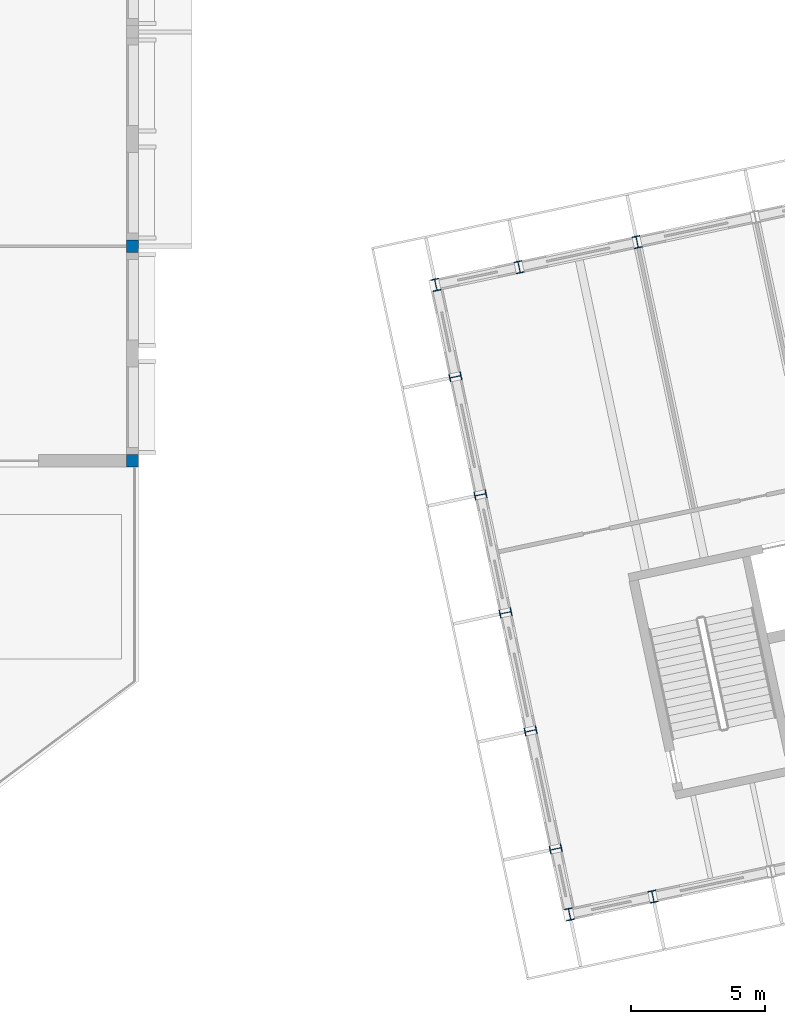
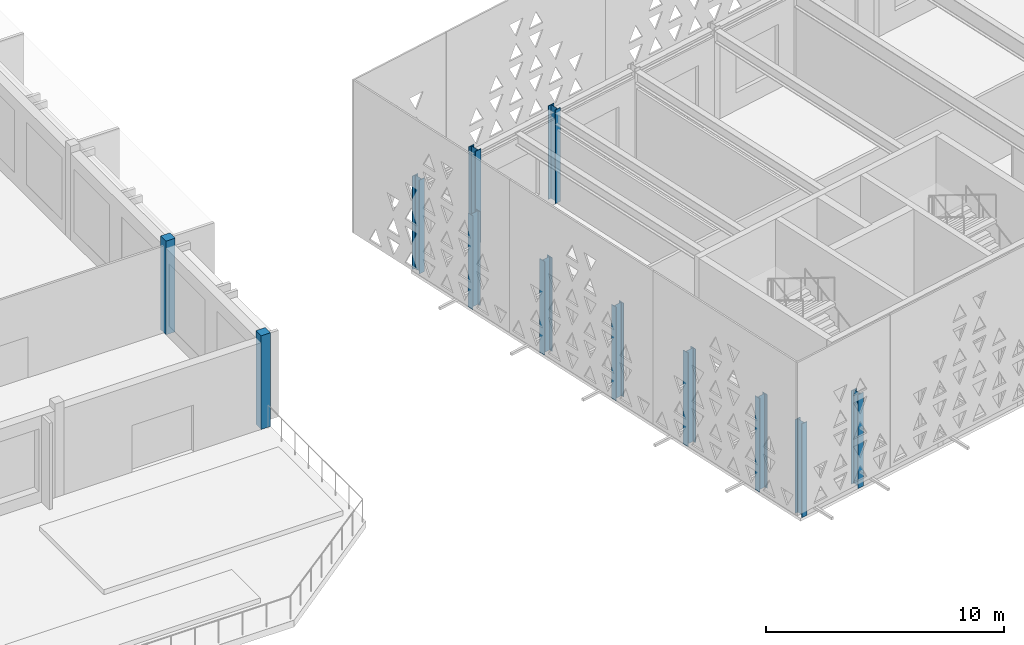
# One storey, part 2 of 196: 12 columns.
"""IFC4 building model written with IfcOpenShell, lengths in metres."""

from ifc_helpers import new_model, si_unit, direction, frame, origin, origin_2d, place, context, subcontext, project, spatial, rectangle, i_section, extrude, material, material_profile, profile_set, type_object, element, save


model = new_model("IFC4")

# Units and contexts
model_context = context("Model", 3, precision=1e-05, world=origin(), true_north=direction((0.0, 1.0)))
body_context = subcontext(model_context, "Body", "Model", "MODEL_VIEW")
ifc_project = project(units=[si_unit("LENGTHUNIT", "METRE"), si_unit("AREAUNIT", "SQUARE_METRE"), si_unit("VOLUMEUNIT", "CUBIC_METRE"), si_unit("PLANEANGLEUNIT", "RADIAN"), si_unit("MASSUNIT", "GRAM", prefix="KILO")], contexts=[model_context])

# Site, building, storey
site_placement = place(None, origin())
site = spatial("IfcSite", under=ifc_project, at=site_placement, CompositionType="ELEMENT")
building_placement = place(site_placement, origin())
building = spatial("IfcBuilding", under=site, at=building_placement, Name="Okhra Congress Centre", CompositionType="ELEMENT")
storey_placement = place(building_placement, frame((0.0, 0.0, 12.0)))
storey = spatial("IfcBuildingStorey", under=building, at=storey_placement, Name="L02", CompositionType="ELEMENT", Elevation=12.0)

# Columns
ifc_material_1 = material(Name="Concrete C35/45", Category="concrete")
ifc_material_profile_1 = material_profile(ifc_material_1, rectangle(XDim=0.449951171875, YDim=0.449951171875, at=origin_2d()), Name="RC 450x450")
ifc_profile_set_1 = profile_set([ifc_material_profile_1], Name="Concrete C35/45")
column_type_1 = type_object("IfcColumnType", Name="RC column 450x450 C35/45", PredefinedType="COLUMN", material=ifc_profile_set_1)
for number, where, z_axis, x_axis, name in (
    (1, (46.0, 44.0, 0.0), (0.0, 0.0, 1.0), (1.0, 0.0, 0.0), "RS.COL.L02.25"),
    (2, (46.0, 52.0, 0.0), (0.0, 0.0, 1.0), (1.0, 0.0, 0.0), "RS.COL.L02.26"),
):
    element("IfcColumn", number, at=place(storey_placement, frame(where, z_axis=z_axis, x_axis=x_axis)), inside=storey, type_object=column_type_1, Name=name, PredefinedType="COLUMN", context=body_context, shape_type="SweptSolid", body=[
        extrude(rectangle(XDim=0.449951171875, YDim=0.449951171875, at=origin_2d()), origin(), (0.0, 0.0, 1.0), 4.800048828125),
    ])
ifc_material_2 = material(Name="Steel S355J2", Category="steel")
ifc_material_profile_2 = material_profile(ifc_material_2, i_section(OverallWidth=0.300048828125, OverallDepth=0.449951171875, WebThickness=0.013916015625, FlangeThickness=0.02587890625, FilletRadius=0.027099609375, at=origin_2d()), Name="HE 450 B")
ifc_profile_set_2 = profile_set([ifc_material_profile_2], Name="Steel S355J2")
column_type_2 = type_object("IfcColumnType", Name="Steel post HE 450 B", PredefinedType="COLUMN", material=ifc_profile_set_2)
for number, where, z_axis, x_axis, name in (
    (3, (62.30712890625, 27.084716796875, 0.0), (0.0, 0.0, 1.0), (0.978147600734, 0.207911690818, 0.0), "Post S1"),
    (4, (65.41259765625, 27.744873046875, 0.0), (0.0, 0.0, 1.0), (0.978147600734, 0.207911690818, 0.0), "Post S2"),
    (5, (57.317138671875, 50.560302734375, 0.0), (0.0, 0.0, 1.0), (0.978147600734, 0.207911690818, 0.0), "Post N1"),
    (6, (60.4228515625, 51.220458984375, 0.0), (0.0, 0.0, 1.0), (0.978147600734, 0.207911690818, 0.0), "Post N2"),
    (7, (64.824462890625, 52.156005859375, 0.0), (0.0, 0.0, 1.0), (0.978147600734, 0.207911690818, 0.0), "Post N3"),
    (8, (61.788330078125, 29.525146484375, 0.0), (0.0, 0.0, 1.0), (-0.207911690818, 0.978147600734, 0.0), "Post W1"),
    (9, (60.852783203125, 33.9267578125, 0.0), (0.0, 0.0, 1.0), (-0.207911690818, 0.978147600734, 0.0), "Post W2"),
    (10, (59.9169921875, 38.32861328125, 0.0), (0.0, 0.0, 1.0), (-0.207911690818, 0.978147600734, 0.0), "Post W3"),
    (11, (58.9814453125, 42.730224609375, 0.0), (0.0, 0.0, 1.0), (-0.207911690818, 0.978147600734, 0.0), "Post W4"),
    (12, (58.0458984375, 47.1318359375, 0.0), (0.0, 0.0, 1.0), (-0.207911690818, 0.978147600734, 0.0), "Post W5"),
):
    element("IfcColumn", number, at=place(storey_placement, frame(where, z_axis=z_axis, x_axis=x_axis)), inside=storey, type_object=column_type_2, Name=name, PredefinedType="COLUMN", context=body_context, shape_type="SweptSolid", body=[
        extrude(i_section(OverallWidth=0.300048828125, OverallDepth=0.449951171875, WebThickness=0.013916015625, FlangeThickness=0.02587890625, FilletRadius=0.027099609375, at=origin_2d()), origin(), (0.0, 0.0, 1.0), 4.800048828125),
    ])

save(model, "model.ifc")
